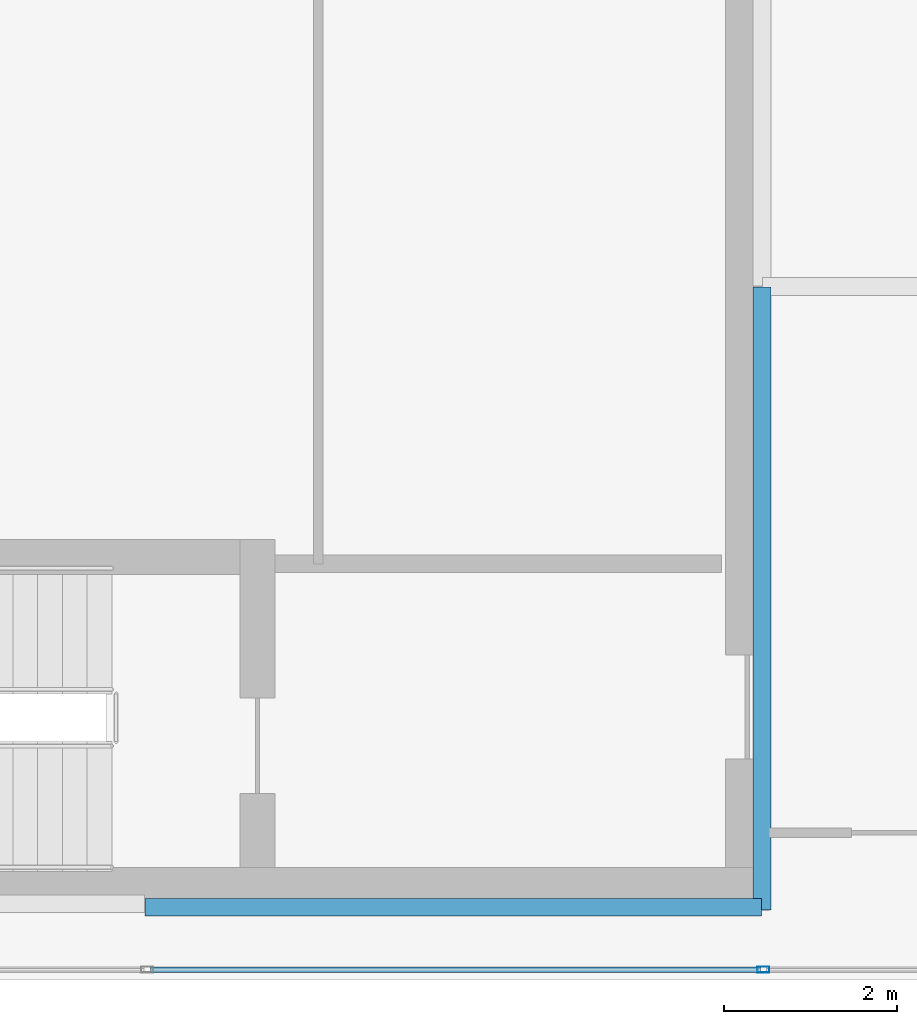
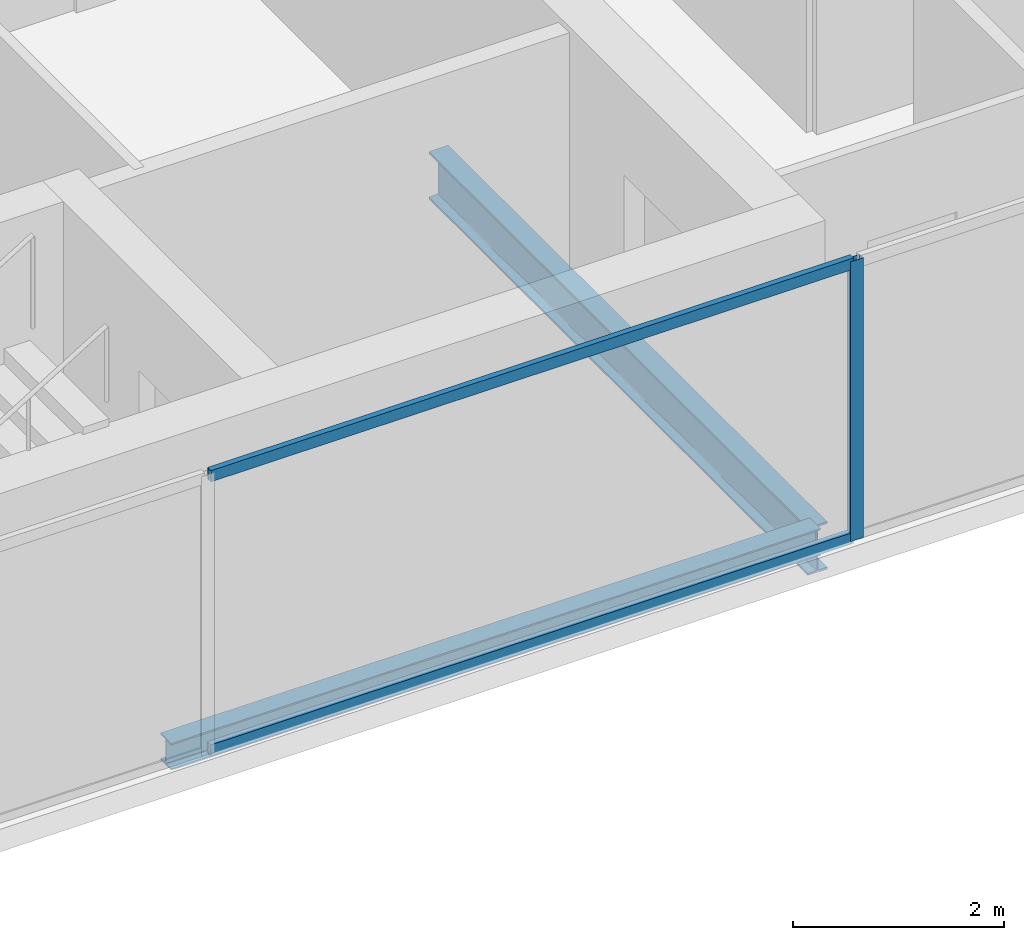
# One storey, part 3 of 24: 3 members, 2 beams, 1 element without a shape of its own.
"""IFC4 building model written with IfcOpenShell, lengths in metres."""

from ifc_helpers import new_model, si_unit, direction, frame, origin, origin_2d, place, context, subcontext, project, spatial, hollow_rectangle, i_section, extrude, material, material_profile, profile_set, type_object, element, aggregate, save


model = new_model("IFC4")

# Units and contexts
model_context = context("Model", 3, precision=1e-05, world=origin(), true_north=direction((0.0, 1.0)))
body_context = subcontext(model_context, "Body", "Model", "MODEL_VIEW")
ifc_project = project(units=[si_unit("LENGTHUNIT", "METRE"), si_unit("AREAUNIT", "SQUARE_METRE"), si_unit("VOLUMEUNIT", "CUBIC_METRE"), si_unit("PLANEANGLEUNIT", "RADIAN"), si_unit("MASSUNIT", "GRAM", prefix="KILO")], contexts=[model_context])

# Site, building, storey
site_placement = place(None, origin())
site = spatial("IfcSite", under=ifc_project, at=site_placement, CompositionType="ELEMENT")
building_placement = place(site_placement, origin())
building = spatial("IfcBuilding", under=site, at=building_placement, Name="Cobrela Telecom Tower", CompositionType="ELEMENT")
storey_placement = place(building_placement, frame((0.0, 0.0, 290.14990234375)))
storey = spatial("IfcBuildingStorey", under=building, at=storey_placement, Name="L76", CompositionType="ELEMENT", Elevation=290.14990234375)

# Beams
ifc_material_1 = material(Name="Steel ASTM A992 Grade 50", Category="steel")
ifc_material_profile_1 = material_profile(ifc_material_1, i_section(OverallWidth=0.212890625, OverallDepth=0.549072265625, WebThickness=0.0146484375, FlangeThickness=0.023681640625, FilletRadius=0.013916015625, at=origin_2d()), Name="W21X93")
ifc_profile_set_1 = profile_set([ifc_material_profile_1], Name="Steel ASTM A992 Grade 50")
beam_type_1 = type_object("IfcBeamType", Name="BM-GIRD-08", PredefinedType="USERDEFINED", material=ifc_profile_set_1)
beam_1_placement = place(storey_placement, frame((14.320068359375, 7.205078125, -0.534423828125), z_axis=(0.0, 1.0, 0.0), x_axis=(-1.0, 0.0, 0.0)))
element("IfcBeam", 1, at=beam_1_placement, inside=storey, type_object=beam_type_1, Name="L76 Primary Girder Y21", ObjectType="GIRDER", PredefinedType="USERDEFINED", context=body_context, shape_type="SweptSolid", body=[
    extrude(i_section(OverallWidth=0.212890625, OverallDepth=0.549072265625, WebThickness=0.0146484375, FlangeThickness=0.023681640625, FilletRadius=0.013916015625, at=origin_2d()), origin(), (0.0, 0.0, 1.0), 7.18994140625),
])
ifc_material_profile_2 = material_profile(ifc_material_1, i_section(OverallWidth=0.205078125, OverallDepth=0.31005859375, WebThickness=0.009521484375, FlangeThickness=0.016357421875, FilletRadius=0.010986328125, at=origin_2d()), Name="W12X50")
ifc_profile_set_2 = profile_set([ifc_material_profile_2], Name="Steel ASTM A992 Grade 50")
beam_type_2 = type_object("IfcBeamType", Name="BM-SPAND-07", PredefinedType="SPANDREL", material=ifc_profile_set_2)
beam_2_placement = place(storey_placement, frame((7.205078125, 7.239990234375, -0.414794921875), z_axis=(1.0, 0.0, 0.0), x_axis=(0.0, 1.0, 0.0)))
element("IfcBeam", 2, at=beam_2_placement, inside=storey, type_object=beam_type_2, Name="L76 Perimeter Spandrel X02", PredefinedType="SPANDREL", context=body_context, shape_type="SweptSolid", body=[
    extrude(i_section(OverallWidth=0.205078125, OverallDepth=0.31005859375, WebThickness=0.009521484375, FlangeThickness=0.016357421875, FilletRadius=0.010986328125, at=origin_2d()), origin(), (0.0, 0.0, 1.0), 7.10986328125),
])

# Curtain wall, members
ifc_material_2 = material(Name="Anodized Bronze Aluminium 6063-T6", Category="aluminium")
curtain_wall_type = type_object("IfcCurtainWallType", Name="CW-SYS-OFF-HI", PredefinedType="USERDEFINED", material=ifc_material_2)
curtain_wall_placement = place(storey_placement, origin())
curtain_wall = element("IfcCurtainWall", 3, at=curtain_wall_placement, inside=storey, type_object=curtain_wall_type, Name="L76 Unitised Bronze Curtain Wall 15", ObjectType="UNITISED CURTAIN WALL", PredefinedType="USERDEFINED")
ifc_material_profile_3 = material_profile(ifc_material_2, hollow_rectangle(XDim=0.070068359375, YDim=0.139892578125, WallThickness=0.00390625, at=origin_2d()), Name="ALU 70x140x4")
ifc_profile_set_3 = profile_set([ifc_material_profile_3], Name="Anodized Bronze Aluminium 6063-T6")
member_type_1 = type_object("IfcMemberType", Name="CW-SYS-OFF-HI-MUL", PredefinedType="MULLION", material=ifc_profile_set_3)
member_1_placement = place(storey_placement, frame((14.336669921875, 6.52001953125, 0.0), z_axis=(0.0, 0.0, 1.0), x_axis=(0.0, -1.0, 0.0)))
member_1 = element("IfcMember", 4, at=member_1_placement, type_object=member_type_1, Name="CW-OFF-HI mullion 5", PredefinedType="MULLION", context=body_context, shape_type="SweptSolid", body=[
    extrude(hollow_rectangle(XDim=0.070068359375, YDim=0.139892578125, WallThickness=0.00390625, at=origin_2d()), origin(), (0.0, 0.0, 1.0), 3.239990234375),
])
ifc_material_profile_4 = material_profile(ifc_material_2, hollow_rectangle(XDim=0.06494140625, YDim=0.1298828125, WallThickness=0.00390625, at=origin_2d()), Name="ALU 65x130x4")
ifc_profile_set_4 = profile_set([ifc_material_profile_4], Name="Anodized Bronze Aluminium 6063-T6")
member_type_2 = type_object("IfcMemberType", Name="CW-SYS-OFF-HI-TRN", PredefinedType="USERDEFINED", material=ifc_profile_set_4)
member_2_placement = place(storey_placement, frame((14.3017578125, 6.52001953125, 0.03271484375), z_axis=(-1.0, 0.0, 0.0), x_axis=(0.0, -1.0, 0.0)))
member_2 = element("IfcMember", 5, at=member_2_placement, type_object=member_type_2, Name="CW-OFF-HI transom 5.1", ObjectType="TRANSOM", PredefinedType="USERDEFINED", context=body_context, shape_type="SweptSolid", body=[
    extrude(hollow_rectangle(XDim=0.06494140625, YDim=0.1298828125, WallThickness=0.00390625, at=origin_2d()), origin(), (0.0, 0.0, 1.0), 7.038330078125),
])
member_3_placement = place(storey_placement, frame((14.3017578125, 6.52001953125, 3.20751953125), z_axis=(-1.0, 0.0, 0.0), x_axis=(0.0, -1.0, 0.0)))
member_3 = element("IfcMember", 6, at=member_3_placement, type_object=member_type_2, Name="CW-OFF-HI transom 5.2", ObjectType="TRANSOM", PredefinedType="USERDEFINED", context=body_context, shape_type="SweptSolid", body=[
    extrude(hollow_rectangle(XDim=0.06494140625, YDim=0.1298828125, WallThickness=0.00390625, at=origin_2d()), origin(), (0.0, 0.0, 1.0), 7.038330078125),
])
aggregate(curtain_wall, [member_1, member_2, member_3])

save(model, "model.ifc")
